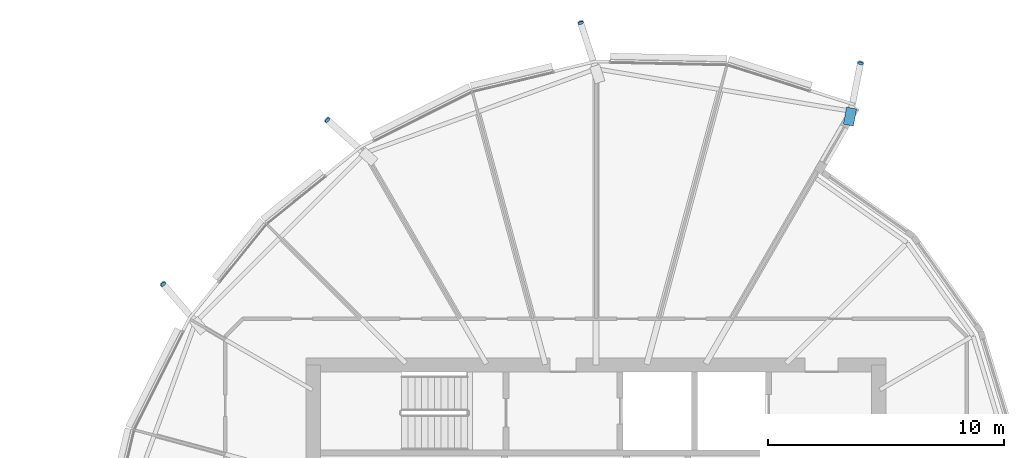
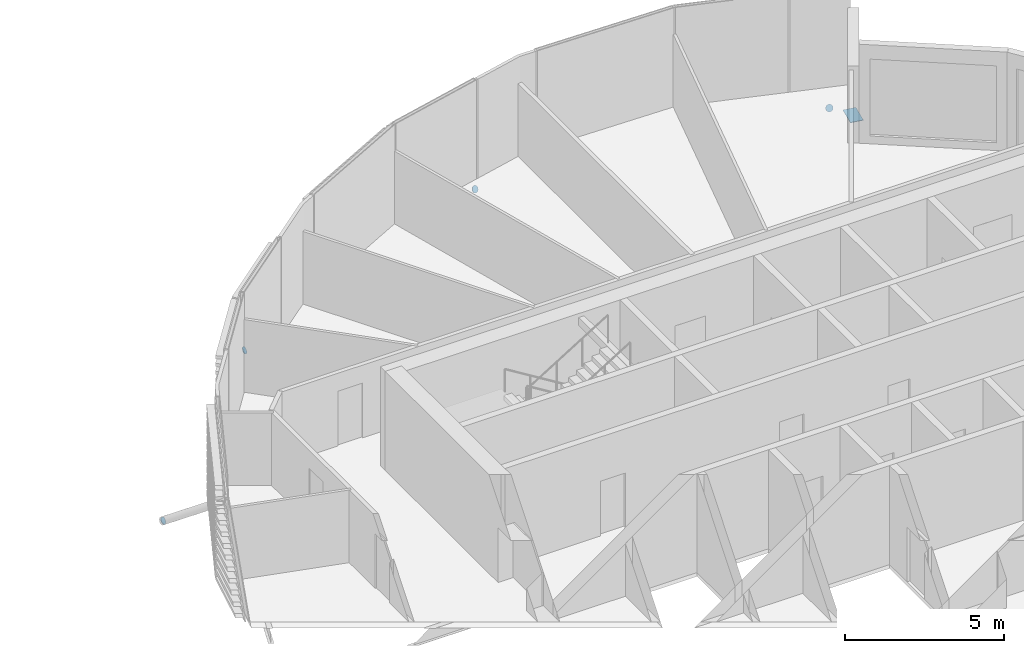
# One storey, part 30 of 36: 5 discrete accessories.
"""IFC4 building model written with IfcOpenShell, lengths in metres."""

from ifc_helpers import new_model, si_unit, direction, frame, origin, origin_2d, place, context, subcontext, project, spatial, polyline, rectangle, circle, outline, extrude, material, material_profile, profile_set, type_object, element, save


model = new_model("IFC4")

# Units and contexts
model_context = context("Model", 3, precision=1e-05, world=origin(), true_north=direction((0.0, 1.0)))
body_context = subcontext(model_context, "Body", "Model", "MODEL_VIEW")
ifc_project = project(units=[si_unit("LENGTHUNIT", "METRE"), si_unit("AREAUNIT", "SQUARE_METRE"), si_unit("VOLUMEUNIT", "CUBIC_METRE"), si_unit("PLANEANGLEUNIT", "RADIAN"), si_unit("MASSUNIT", "GRAM", prefix="KILO")], contexts=[model_context])

# Site, building, storey
site_placement = place(None, origin())
site = spatial("IfcSite", under=ifc_project, at=site_placement, CompositionType="ELEMENT")
building_placement = place(site_placement, origin())
building = spatial("IfcBuilding", under=site, at=building_placement, Name="Rimbun Link Towers", CompositionType="ELEMENT")
storey_placement = place(building_placement, frame((0.0, 0.0, 174.10009765625)))
storey = spatial("IfcBuildingStorey", under=building, at=storey_placement, Name="L42", CompositionType="ELEMENT", Elevation=174.10009765625)

# Discrete accessories
ifc_material_1 = material(Name="Steel S355J2H", Category="steel")
ifc_material_profile_1 = material_profile(ifc_material_1, circle(Radius=0.1240234375, at=origin_2d()), Name="PL D248")
ifc_profile_set_1 = profile_set([ifc_material_profile_1], Name="Steel S355J2H")
discrete_accessory_type_1 = type_object("IfcDiscreteAccessoryType", Name="Link foot sealing plate D248X20", PredefinedType="BRACKET", material=ifc_profile_set_1)
discrete_accessory_1_placement = place(storey_placement, frame((42.97265625, 20.806884765625, -2.096923828125), z_axis=(0.170301683814, 0.863672825057, -0.474411833482), x_axis=(-0.981108552987, 0.193458024533, 0.0)))
element("IfcDiscreteAccessory", 1, at=discrete_accessory_1_placement, inside=storey, type_object=discrete_accessory_type_1, Name="Link foot sealing plate T2 L42 01", PredefinedType="BRACKET", context=body_context, shape_type="SweptSolid", body=[
    extrude(circle(Radius=0.1240234375, at=origin_2d()), origin(), (0.0, 0.0, 1.0), 0.02001953125),
])
discrete_accessory_2_placement = place(storey_placement, frame((31.102783203125, 22.518798828125, -2.09130859375), z_axis=(-0.270208291402, 0.835189264332, -0.479005607485), x_axis=(-0.951444518554, -0.307820285415, 0.0)))
element("IfcDiscreteAccessory", 2, at=discrete_accessory_2_placement, inside=storey, type_object=discrete_accessory_type_1, Name="Link foot sealing plate T2 L42 03", PredefinedType="BRACKET", context=body_context, shape_type="SweptSolid", body=[
    extrude(circle(Radius=0.1240234375, at=origin_2d()), origin(), (0.0, 0.0, 1.0), 0.019775390625),
])
for number, where, z_axis, x_axis, name in (
    (3, (20.3564453125, 18.397216796875, -2.01318359375), (-0.643003146809, 0.582342472582, -0.497417528663), (-0.671279432626, -0.741204373525, 0.0), "Link foot sealing plate T2 L42 05"),
    (4, (13.383056640625, 11.433349609375, -1.8837890625), (-0.550461289559, 0.64832107437, -0.525996343357), (-0.762294079169, -0.647230821936, 0.0), "Link foot sealing plate T2 L42 07"),
):
    element("IfcDiscreteAccessory", number, at=place(storey_placement, frame(where, z_axis=z_axis, x_axis=x_axis)), inside=storey, type_object=discrete_accessory_type_1, Name=name, PredefinedType="BRACKET", context=body_context, shape_type="SweptSolid", body=[
        extrude(circle(Radius=0.1240234375, at=origin_2d()), origin(), (0.0, 0.0, 1.0), 0.02001953125),
    ])
ifc_material_2 = material(Name="Steel S355J2H", Category="steel")
ifc_material_profile_2 = material_profile(ifc_material_2, rectangle(XDim=0.43310546875, YDim=0.43310546875, at=origin_2d()), Name="PL 433x433")
ifc_profile_set_2 = profile_set([ifc_material_profile_2], Name="Steel S355J2H")
discrete_accessory_type_2 = type_object("IfcDiscreteAccessoryType", Name="Link head end plate 433X20", PredefinedType="BRACKET", material=ifc_profile_set_2)
discrete_accessory_3_placement = place(storey_placement, frame((0.0, 0.0, -0.853515625)))
element("IfcDiscreteAccessory", 5, at=discrete_accessory_3_placement, inside=storey, type_object=discrete_accessory_type_2, Name="Link head end plate T2 L42 01", PredefinedType="BRACKET", context=body_context, shape_type="SweptSolid", body=[
    extrude(outline(polyline([(42.6689453125, 18.14599609375), (42.81103515625, 18.866455078125), (42.385986328125, 18.9501953125), (42.244140625, 18.2294921875), (42.6689453125, 18.14599609375)])), origin(), (0.0, 0.0, 1.0), 0.02001953125),
])

save(model, "model.ifc")
